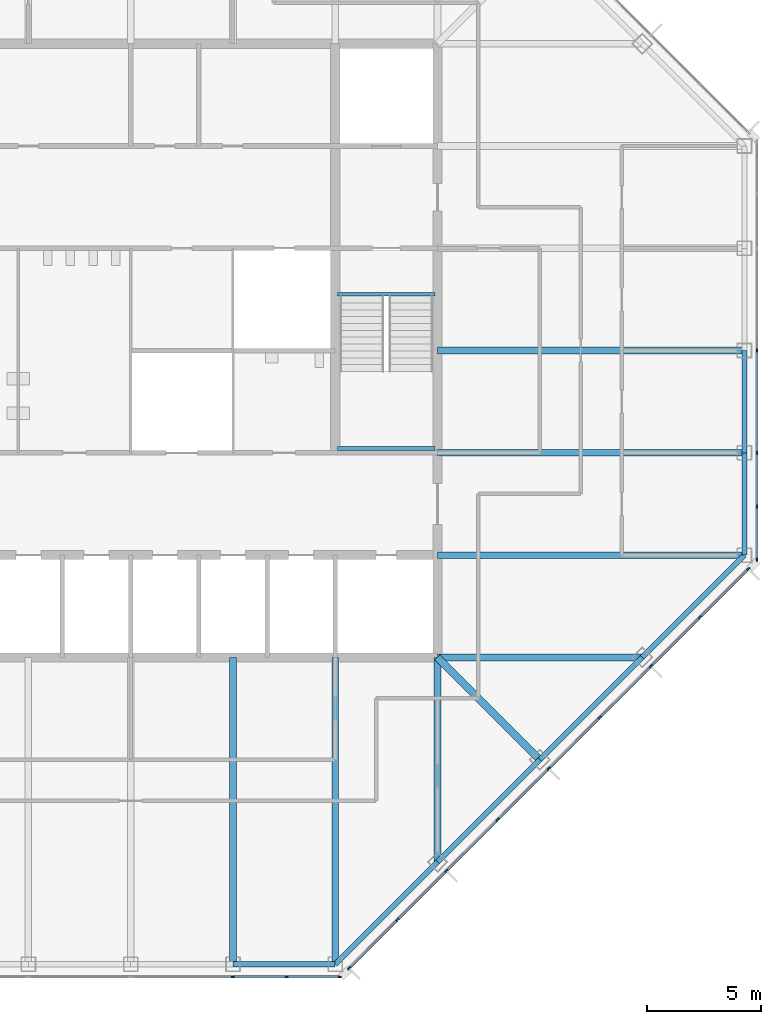
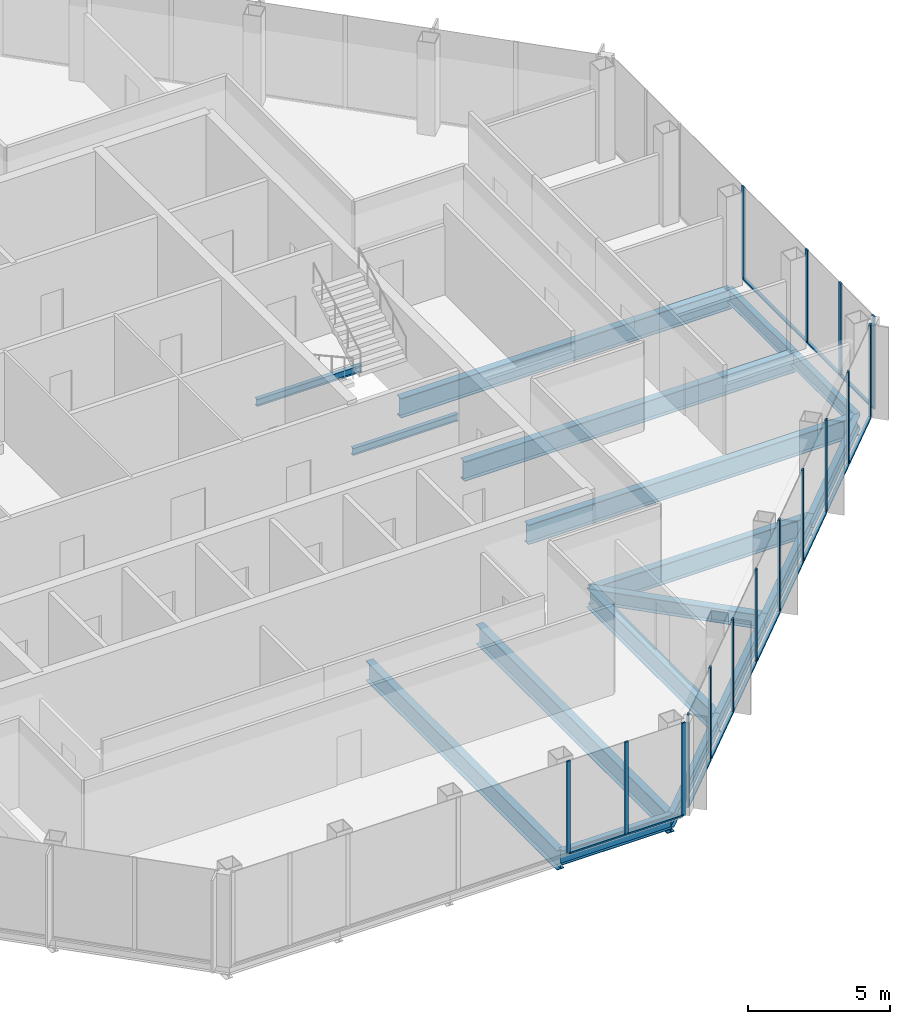
# One storey, part 4 of 14: 29 members, 17 beams, 3 elements without a shape of their own.
"""IFC4 building model written with IfcOpenShell, lengths in metres."""

from ifc_helpers import new_model, si_unit, direction, frame, origin, origin_2d, place, context, subcontext, project, spatial, rectangle, i_section, extrude, material, material_profile, profile_set, type_object, element, aggregate, save


model = new_model("IFC4")

# Units and contexts
model_context = context("Model", 3, precision=1e-05, world=origin(), true_north=direction((0.0, 1.0)))
body_context = subcontext(model_context, "Body", "Model", "MODEL_VIEW")
ifc_project = project(units=[si_unit("LENGTHUNIT", "METRE"), si_unit("AREAUNIT", "SQUARE_METRE"), si_unit("VOLUMEUNIT", "CUBIC_METRE"), si_unit("PLANEANGLEUNIT", "RADIAN"), si_unit("MASSUNIT", "GRAM", prefix="KILO")], contexts=[model_context])

# Site, building, storey
site_placement = place(None, origin())
site = spatial("IfcSite", under=ifc_project, at=site_placement, CompositionType="ELEMENT")
building_placement = place(site_placement, origin())
building = spatial("IfcBuilding", under=site, at=building_placement, Name="Corais Broadcast Tower", CompositionType="ELEMENT")
storey_placement = place(building_placement, frame((0.0, 0.0, 218.60009765625)))
storey = spatial("IfcBuildingStorey", under=building, at=storey_placement, Name="L50", CompositionType="ELEMENT", Elevation=218.60009765625)

# Beams
ifc_material_1 = material(Name="Steel ASTM A572 Grade 50", Category="steel")
ifc_material_profile_1 = material_profile(ifc_material_1, i_section(OverallWidth=0.323974609375, OverallDepth=0.611083984375, WebThickness=0.0126953125, FlangeThickness=0.01904296875, at=origin_2d()), Name="W610x155")
ifc_profile_set_1 = profile_set([ifc_material_profile_1], Name="Steel ASTM A572 Grade 50")
beam_type_1 = type_object("IfcBeamType", Name="Corner diagonal W610x155", PredefinedType="BEAM", material=ifc_profile_set_1)
beam_1_placement = place(storey_placement, frame((45.0, 9.0, -0.465576171875), z_axis=(-0.707106781187, 0.707106781187, 0.0), x_axis=(-0.707106781187, -0.707106781187, 0.0)))
element("IfcBeam", 1, at=beam_1_placement, inside=storey, type_object=beam_type_1, Name="B6 C/13 to D/12", PredefinedType="BEAM", context=body_context, shape_type="SweptSolid", body=[
    extrude(i_section(OverallWidth=0.323974609375, OverallDepth=0.611083984375, WebThickness=0.0126953125, FlangeThickness=0.01904296875, at=origin_2d()), origin(), (0.0, 0.0, 1.0), 6.364013671875),
])
ifc_material_2 = material(Name="Steel ASTM A572 Grade 50", Category="steel")
ifc_material_profile_2 = material_profile(ifc_material_2, i_section(OverallWidth=0.2939453125, OverallDepth=0.85107421875, WebThickness=0.01611328125, FlangeThickness=0.02685546875, at=origin_2d()), Name="W840x226")
ifc_profile_set_2 = profile_set([ifc_material_profile_2], Name="Steel ASTM A572 Grade 50")
beam_type_2 = type_object("IfcBeamType", Name="Floor beam W840x226", PredefinedType="BEAM", material=ifc_profile_set_2)
for number, where, z_axis, x_axis, name in (
    (2, (31.5, 0.0, -0.585693359375), (0.0, 1.0, 0.0), (-1.0, 0.0, 0.0), "B1 A/10 to D/10"),
    (3, (36.0, 0.0, -0.585693359375), (0.0, 1.0, 0.0), (-1.0, 0.0, 0.0), "B1 A/11 to D/11"),
):
    element("IfcBeam", number, at=place(storey_placement, frame(where, z_axis=z_axis, x_axis=x_axis)), inside=storey, type_object=beam_type_2, Name=name, PredefinedType="BEAM", context=body_context, shape_type="SweptSolid", body=[
        extrude(i_section(OverallWidth=0.2939453125, OverallDepth=0.85107421875, WebThickness=0.01611328125, FlangeThickness=0.02685546875, at=origin_2d()), origin(), (0.0, 0.0, 1.0), 13.5),
    ])
for number, where, z_axis, x_axis, name in (
    (4, (40.5, 4.5, -0.585693359375), (0.0, 1.0, 0.0), (-1.0, 0.0, 0.0), "B1 B/12 to D/12"),
    (5, (49.5, 13.5, -0.585693359375), (-1.0, 0.0, 0.0), (0.0, -1.0, 0.0), "B1 D/14 to D/12"),
):
    element("IfcBeam", number, at=place(storey_placement, frame(where, z_axis=z_axis, x_axis=x_axis)), inside=storey, type_object=beam_type_2, Name=name, PredefinedType="BEAM", context=body_context, shape_type="SweptSolid", body=[
        extrude(i_section(OverallWidth=0.2939453125, OverallDepth=0.85107421875, WebThickness=0.01611328125, FlangeThickness=0.02685546875, at=origin_2d()), origin(), (0.0, 0.0, 1.0), 9.0),
    ])
for number, where, z_axis, x_axis, name in (
    (6, (54.0, 18.0, -0.585693359375), (-1.0, 0.0, 0.0), (0.0, -1.0, 0.0), "B1 E/15 to E/12"),
    (7, (54.0, 22.5, -0.585693359375), (-1.0, 0.0, 0.0), (0.0, -1.0, 0.0), "B1 F/15 to F/12"),
    (8, (54.0, 27.0, -0.585693359375), (-1.0, 0.0, 0.0), (0.0, -1.0, 0.0), "B1 G/15 to G/12"),
):
    element("IfcBeam", number, at=place(storey_placement, frame(where, z_axis=z_axis, x_axis=x_axis)), inside=storey, type_object=beam_type_2, Name=name, PredefinedType="BEAM", context=body_context, shape_type="SweptSolid", body=[
        extrude(i_section(OverallWidth=0.2939453125, OverallDepth=0.85107421875, WebThickness=0.01611328125, FlangeThickness=0.02685546875, at=origin_2d()), origin(), (0.0, 0.0, 1.0), 13.5),
    ])
ifc_material_3 = material(Name="Steel ASTM A572 Grade 50", Category="steel")
ifc_material_profile_3 = material_profile(ifc_material_3, i_section(OverallWidth=0.1650390625, OverallDepth=0.31005859375, WebThickness=0.005859375, FlangeThickness=0.009765625, at=origin_2d()), Name="W310x38.7")
ifc_profile_set_3 = profile_set([ifc_material_profile_3], Name="Steel ASTM A572 Grade 50")
beam_type_3 = type_object("IfcBeamType", Name="Landing trimmer W310x38.7", PredefinedType="BEAM", material=ifc_profile_set_3)
for number, where, z_axis, x_axis, name in (
    (9, (36.10009765625, 29.47509765625, -0.35498046875), (1.0, 0.0, 0.0), (0.0, 1.0, 0.0), "LT1 stair B landing trimmer L50"),
    (10, (36.10009765625, 22.68994140625, 1.64501953125), (1.0, 0.0, 0.0), (0.0, 1.0, 0.0), "LT1 stair B half landing trimmer L50"),
):
    element("IfcBeam", number, at=place(storey_placement, frame(where, z_axis=z_axis, x_axis=x_axis)), inside=storey, type_object=beam_type_3, Name=name, PredefinedType="BEAM", context=body_context, shape_type="SweptSolid", body=[
        extrude(i_section(OverallWidth=0.1650390625, OverallDepth=0.31005859375, WebThickness=0.005859375, FlangeThickness=0.009765625, at=origin_2d()), origin(), (0.0, 0.0, 1.0), 4.2998046875),
    ])

# Curtain wall, members
ifc_material_4 = material(Name="Aluminium and glass", Category="aluminium")
curtain_wall_type = type_object("IfcCurtainWallType", Name="Unitised fritted curtain wall CW3", PredefinedType="NOTDEFINED", material=ifc_material_4)
curtain_wall_1_placement = place(storey_placement, origin())
curtain_wall_1 = element("IfcCurtainWall", 11, at=curtain_wall_1_placement, inside=storey, type_object=curtain_wall_type, Name="CW3 curtain wall L50 6", PredefinedType="NOTDEFINED")
ifc_material_5 = material(Name="Aluminium 6063-T6", Category="aluminium")
ifc_material_profile_4 = material_profile(ifc_material_5, rectangle(XDim=0.06494140625, YDim=0.159912109375, at=origin_2d()), Name="Mullion CW3 65x160")
ifc_profile_set_4 = profile_set([ifc_material_profile_4], Name="Aluminium 6063-T6")
member_type_1 = type_object("IfcMemberType", Name="Mullion CW3 65x160", PredefinedType="MULLION", material=ifc_profile_set_4)
member_1_placement = place(storey_placement, frame((54.550048828125, 27.0, 0.0), z_axis=(0.0, 0.0, 1.0), x_axis=(1.0, 0.0, 0.0)))
member_1 = element("IfcMember", 12, at=member_1_placement, type_object=member_type_1, Name="CW3 mullion 4", PredefinedType="MULLION", context=body_context, shape_type="SweptSolid", body=[
    extrude(rectangle(XDim=0.06494140625, YDim=0.159912109375, at=origin_2d()), origin(), (0.0, 0.0, 1.0), 4.0),
])
member_2_placement = place(storey_placement, frame((54.550048828125, 22.5, 0.0), z_axis=(0.0, 0.0, 1.0), x_axis=(1.0, 0.0, 0.0)))
member_2 = element("IfcMember", 13, at=member_2_placement, type_object=member_type_1, Name="CW3 mullion 5", PredefinedType="MULLION", context=body_context, shape_type="SweptSolid", body=[
    extrude(rectangle(XDim=0.06494140625, YDim=0.159912109375, at=origin_2d()), origin(), (0.0, 0.0, 1.0), 4.0),
])
member_3_placement = place(storey_placement, frame((54.550048828125, 20.135986328125, 0.0), z_axis=(0.0, 0.0, 1.0), x_axis=(1.0, 0.0, 0.0)))
member_3 = element("IfcMember", 14, at=member_3_placement, type_object=member_type_1, Name="CW3 mullion 6", PredefinedType="MULLION", context=body_context, shape_type="SweptSolid", body=[
    extrude(rectangle(XDim=0.06494140625, YDim=0.159912109375, at=origin_2d()), origin(), (0.0, 0.0, 1.0), 4.0),
])
member_4_placement = place(storey_placement, frame((54.550048828125, 17.8046875, 0.0), z_axis=(0.0, 0.0, 1.0), x_axis=(1.0, 0.0, 0.0)))
member_4 = element("IfcMember", 15, at=member_4_placement, type_object=member_type_1, Name="CW3 mullion 7", PredefinedType="MULLION", context=body_context, shape_type="SweptSolid", body=[
    extrude(rectangle(XDim=0.06494140625, YDim=0.159912109375, at=origin_2d()), origin(), (0.0, 0.0, 1.0), 4.0),
])

curtain_wall_2_placement = place(storey_placement, origin())
curtain_wall_2 = element("IfcCurtainWall", 16, at=curtain_wall_2_placement, inside=storey, type_object=curtain_wall_type, Name="CW3 curtain wall L50 7", PredefinedType="NOTDEFINED")
member_5_placement = place(storey_placement, frame((54.17333984375, 17.3955078125, 0.0), z_axis=(0.0, 0.0, 1.0), x_axis=(0.707106781187, -0.707106781187, 0.0)))
member_5 = element("IfcMember", 17, at=member_5_placement, type_object=member_type_1, Name="CW3 mullion 1", PredefinedType="MULLION", context=body_context, shape_type="SweptSolid", body=[
    extrude(rectangle(XDim=0.06494140625, YDim=0.159912109375, at=origin_2d()), origin(), (0.0, 0.0, 1.0), 4.0),
])
member_6_placement = place(storey_placement, frame((52.042724609375, 15.264892578125, 0.0), z_axis=(0.0, 0.0, 1.0), x_axis=(0.707106781187, -0.707106781187, 0.0)))
member_6 = element("IfcMember", 18, at=member_6_placement, type_object=member_type_1, Name="CW3 mullion 2", PredefinedType="MULLION", context=body_context, shape_type="SweptSolid", body=[
    extrude(rectangle(XDim=0.06494140625, YDim=0.159912109375, at=origin_2d()), origin(), (0.0, 0.0, 1.0), 4.0),
])
member_7_placement = place(storey_placement, frame((49.888916015625, 13.111083984375, 0.0), z_axis=(0.0, 0.0, 1.0), x_axis=(0.707106781187, -0.707106781187, 0.0)))
member_7 = element("IfcMember", 19, at=member_7_placement, type_object=member_type_1, Name="CW3 mullion 3", PredefinedType="MULLION", context=body_context, shape_type="SweptSolid", body=[
    extrude(rectangle(XDim=0.06494140625, YDim=0.159912109375, at=origin_2d()), origin(), (0.0, 0.0, 1.0), 4.0),
])
member_8_placement = place(storey_placement, frame((47.638916015625, 10.861083984375, 0.0), z_axis=(0.0, 0.0, 1.0), x_axis=(0.707106781187, -0.707106781187, 0.0)))
member_8 = element("IfcMember", 20, at=member_8_placement, type_object=member_type_1, Name="CW3 mullion 4", PredefinedType="MULLION", context=body_context, shape_type="SweptSolid", body=[
    extrude(rectangle(XDim=0.06494140625, YDim=0.159912109375, at=origin_2d()), origin(), (0.0, 0.0, 1.0), 4.0),
])
member_9_placement = place(storey_placement, frame((45.388916015625, 8.611083984375, 0.0), z_axis=(0.0, 0.0, 1.0), x_axis=(0.707106781187, -0.707106781187, 0.0)))
member_9 = element("IfcMember", 21, at=member_9_placement, type_object=member_type_1, Name="CW3 mullion 5", PredefinedType="MULLION", context=body_context, shape_type="SweptSolid", body=[
    extrude(rectangle(XDim=0.06494140625, YDim=0.159912109375, at=origin_2d()), origin(), (0.0, 0.0, 1.0), 4.0),
])
member_10_placement = place(storey_placement, frame((43.138916015625, 6.361083984375, 0.0), z_axis=(0.0, 0.0, 1.0), x_axis=(0.707106781187, -0.707106781187, 0.0)))
member_10 = element("IfcMember", 22, at=member_10_placement, type_object=member_type_1, Name="CW3 mullion 6", PredefinedType="MULLION", context=body_context, shape_type="SweptSolid", body=[
    extrude(rectangle(XDim=0.06494140625, YDim=0.159912109375, at=origin_2d()), origin(), (0.0, 0.0, 1.0), 4.0),
])
member_11_placement = place(storey_placement, frame((40.888916015625, 4.111083984375, 0.0), z_axis=(0.0, 0.0, 1.0), x_axis=(0.707106781187, -0.707106781187, 0.0)))
member_11 = element("IfcMember", 23, at=member_11_placement, type_object=member_type_1, Name="CW3 mullion 7", PredefinedType="MULLION", context=body_context, shape_type="SweptSolid", body=[
    extrude(rectangle(XDim=0.06494140625, YDim=0.159912109375, at=origin_2d()), origin(), (0.0, 0.0, 1.0), 4.0),
])
member_12_placement = place(storey_placement, frame((38.735107421875, 1.957275390625, 0.0), z_axis=(0.0, 0.0, 1.0), x_axis=(0.707106781187, -0.707106781187, 0.0)))
member_12 = element("IfcMember", 24, at=member_12_placement, type_object=member_type_1, Name="CW3 mullion 8", PredefinedType="MULLION", context=body_context, shape_type="SweptSolid", body=[
    extrude(rectangle(XDim=0.06494140625, YDim=0.159912109375, at=origin_2d()), origin(), (0.0, 0.0, 1.0), 4.0),
])
member_13_placement = place(storey_placement, frame((36.6044921875, -0.17333984375, 0.0), z_axis=(0.0, 0.0, 1.0), x_axis=(0.707106781187, -0.707106781187, 0.0)))
member_13 = element("IfcMember", 25, at=member_13_placement, type_object=member_type_1, Name="CW3 mullion 9", PredefinedType="MULLION", context=body_context, shape_type="SweptSolid", body=[
    extrude(rectangle(XDim=0.06494140625, YDim=0.159912109375, at=origin_2d()), origin(), (0.0, 0.0, 1.0), 4.0),
])

curtain_wall_3_placement = place(storey_placement, origin())
curtain_wall_3 = element("IfcCurtainWall", 26, at=curtain_wall_3_placement, inside=storey, type_object=curtain_wall_type, Name="CW3 curtain wall L50 8", PredefinedType="NOTDEFINED")
member_14_placement = place(storey_placement, frame((36.1953125, -0.550048828125, 0.0), z_axis=(0.0, 0.0, 1.0), x_axis=(0.0, -1.0, 0.0)))
member_14 = element("IfcMember", 27, at=member_14_placement, type_object=member_type_1, Name="CW3 mullion 1", PredefinedType="MULLION", context=body_context, shape_type="SweptSolid", body=[
    extrude(rectangle(XDim=0.06494140625, YDim=0.159912109375, at=origin_2d()), origin(), (0.0, 0.0, 1.0), 4.0),
])
member_15_placement = place(storey_placement, frame((33.864013671875, -0.550048828125, 0.0), z_axis=(0.0, 0.0, 1.0), x_axis=(0.0, -1.0, 0.0)))
member_15 = element("IfcMember", 28, at=member_15_placement, type_object=member_type_1, Name="CW3 mullion 2", PredefinedType="MULLION", context=body_context, shape_type="SweptSolid", body=[
    extrude(rectangle(XDim=0.06494140625, YDim=0.159912109375, at=origin_2d()), origin(), (0.0, 0.0, 1.0), 4.0),
])
member_16_placement = place(storey_placement, frame((31.5, -0.550048828125, 0.0), z_axis=(0.0, 0.0, 1.0), x_axis=(0.0, -1.0, 0.0)))
member_16 = element("IfcMember", 29, at=member_16_placement, type_object=member_type_1, Name="CW3 mullion 3", PredefinedType="MULLION", context=body_context, shape_type="SweptSolid", body=[
    extrude(rectangle(XDim=0.06494140625, YDim=0.159912109375, at=origin_2d()), origin(), (0.0, 0.0, 1.0), 4.0),
])

# Beams
ifc_material_6 = material(Name="Steel ASTM A572 Grade 50", Category="steel")
ifc_material_profile_5 = material_profile(ifc_material_6, i_section(OverallWidth=0.22998046875, OverallDepth=0.616943359375, WebThickness=0.01318359375, FlangeThickness=0.022216796875, at=origin_2d()), Name="W610x140")
ifc_profile_set_5 = profile_set([ifc_material_profile_5], Name="Steel ASTM A572 Grade 50")
beam_type_4 = type_object("IfcBeamType", Name="Spandrel W610x140", PredefinedType="BEAM", material=ifc_profile_set_5)
beam_2_placement = place(storey_placement, frame((31.5, 0.0, -0.468505859375), z_axis=(1.0, 0.0, 0.0), x_axis=(0.0, 1.0, 0.0)))
element("IfcBeam", 30, at=beam_2_placement, inside=storey, type_object=beam_type_4, Name="SB3 A/10 to A/11", PredefinedType="BEAM", context=body_context, shape_type="SweptSolid", body=[
    extrude(i_section(OverallWidth=0.22998046875, OverallDepth=0.616943359375, WebThickness=0.01318359375, FlangeThickness=0.022216796875, at=origin_2d()), origin(), (0.0, 0.0, 1.0), 4.5),
])
for number, where, z_axis, x_axis, name in (
    (31, (36.0, 0.0, -0.468505859375), (0.707106781187, 0.707106781187, 0.0), (-0.707106781187, 0.707106781187, 0.0), "SB3 A/11 to B/12"),
    (32, (40.5, 4.5, -0.468505859375), (0.707106781187, 0.707106781187, 0.0), (-0.707106781187, 0.707106781187, 0.0), "SB3 B/12 to C/13"),
    (33, (45.0, 9.0, -0.468505859375), (0.707106781187, 0.707106781187, 0.0), (-0.707106781187, 0.707106781187, 0.0), "SB3 C/13 to D/14"),
    (34, (49.5, 13.5, -0.468505859375), (0.707106781187, 0.707106781187, 0.0), (-0.707106781187, 0.707106781187, 0.0), "SB3 D/14 to E/15"),
):
    element("IfcBeam", number, at=place(storey_placement, frame(where, z_axis=z_axis, x_axis=x_axis)), inside=storey, type_object=beam_type_4, Name=name, PredefinedType="BEAM", context=body_context, shape_type="SweptSolid", body=[
        extrude(i_section(OverallWidth=0.22998046875, OverallDepth=0.616943359375, WebThickness=0.01318359375, FlangeThickness=0.022216796875, at=origin_2d()), origin(), (0.0, 0.0, 1.0), 6.364013671875),
    ])
for number, where, z_axis, x_axis, name in (
    (35, (54.0, 18.0, -0.468505859375), (0.0, 1.0, 0.0), (-1.0, 0.0, 0.0), "SB3 E/15 to F/15"),
    (36, (54.0, 22.5, -0.468505859375), (0.0, 1.0, 0.0), (-1.0, 0.0, 0.0), "SB3 F/15 to G/15"),
):
    element("IfcBeam", number, at=place(storey_placement, frame(where, z_axis=z_axis, x_axis=x_axis)), inside=storey, type_object=beam_type_4, Name=name, PredefinedType="BEAM", context=body_context, shape_type="SweptSolid", body=[
        extrude(i_section(OverallWidth=0.22998046875, OverallDepth=0.616943359375, WebThickness=0.01318359375, FlangeThickness=0.022216796875, at=origin_2d()), origin(), (0.0, 0.0, 1.0), 4.5),
    ])

# Member
ifc_material_7 = material(Name="Aluminium 6063-T6", Category="aluminium")
ifc_material_profile_6 = material_profile(ifc_material_7, rectangle(XDim=0.1201171875, YDim=0.06494140625, at=origin_2d()), Name="Transom CW3 65x120")
ifc_profile_set_6 = profile_set([ifc_material_profile_6], Name="Aluminium 6063-T6")
member_type_2 = type_object("IfcMemberType", Name="Transom CW3 65x120", PredefinedType="USERDEFINED", material=ifc_profile_set_6)
member_17_placement = place(storey_placement, frame((54.550048828125, 26.967529296875, 0.032470703125), z_axis=(0.0, -1.0, 0.0), x_axis=(1.0, 0.0, 0.0)))
member_17 = element("IfcMember", 37, at=member_17_placement, type_object=member_type_2, Name="CW3 transom 4.1", ObjectType="TRANSOM", PredefinedType="USERDEFINED", context=body_context, shape_type="SweptSolid", body=[
    extrude(rectangle(XDim=0.1201171875, YDim=0.06494140625, at=origin_2d()), origin(), (0.0, 0.0, 1.0), 4.43505859375),
])

member_18_placement = place(storey_placement, frame((54.550048828125, 22.467529296875, 0.032470703125), z_axis=(0.0, -1.0, 0.0), x_axis=(1.0, 0.0, 0.0)))
member_18 = element("IfcMember", 38, at=member_18_placement, type_object=member_type_2, Name="CW3 transom 5.1", ObjectType="TRANSOM", PredefinedType="USERDEFINED", context=body_context, shape_type="SweptSolid", body=[
    extrude(rectangle(XDim=0.1201171875, YDim=0.06494140625, at=origin_2d()), origin(), (0.0, 0.0, 1.0), 2.298828125),
])

member_19_placement = place(storey_placement, frame((54.550048828125, 20.103515625, 0.032470703125), z_axis=(0.0, -1.0, 0.0), x_axis=(1.0, 0.0, 0.0)))
member_19 = element("IfcMember", 39, at=member_19_placement, type_object=member_type_2, Name="CW3 transom 6.1", ObjectType="TRANSOM", PredefinedType="USERDEFINED", context=body_context, shape_type="SweptSolid", body=[
    extrude(rectangle(XDim=0.1201171875, YDim=0.06494140625, at=origin_2d()), origin(), (0.0, 0.0, 1.0), 2.266357421875),
])

aggregate(curtain_wall_1, [member_1, member_2, member_3, member_4, member_17, member_18, member_19])

member_20_placement = place(storey_placement, frame((54.150390625, 17.37255859375, 0.032470703125), z_axis=(-0.707106781187, -0.707106781187, 0.0), x_axis=(0.707106781187, -0.707106781187, 0.0)))
member_20 = element("IfcMember", 40, at=member_20_placement, type_object=member_type_2, Name="CW3 transom 1.1", ObjectType="TRANSOM", PredefinedType="USERDEFINED", context=body_context, shape_type="SweptSolid", body=[
    extrude(rectangle(XDim=0.1201171875, YDim=0.06494140625, at=origin_2d()), origin(), (0.0, 0.0, 1.0), 2.9482421875),
])

member_21_placement = place(storey_placement, frame((52.019775390625, 15.241943359375, 0.032470703125), z_axis=(-0.707106781187, -0.707106781187, 0.0), x_axis=(0.707106781187, -0.707106781187, 0.0)))
member_21 = element("IfcMember", 41, at=member_21_placement, type_object=member_type_2, Name="CW3 transom 2.1", ObjectType="TRANSOM", PredefinedType="USERDEFINED", context=body_context, shape_type="SweptSolid", body=[
    extrude(rectangle(XDim=0.1201171875, YDim=0.06494140625, at=origin_2d()), origin(), (0.0, 0.0, 1.0), 2.98095703125),
])

member_22_placement = place(storey_placement, frame((49.865966796875, 13.088134765625, 0.032470703125), z_axis=(-0.707106781187, -0.707106781187, 0.0), x_axis=(0.707106781187, -0.707106781187, 0.0)))
member_22 = element("IfcMember", 42, at=member_22_placement, type_object=member_type_2, Name="CW3 transom 3.1", ObjectType="TRANSOM", PredefinedType="USERDEFINED", context=body_context, shape_type="SweptSolid", body=[
    extrude(rectangle(XDim=0.1201171875, YDim=0.06494140625, at=origin_2d()), origin(), (0.0, 0.0, 1.0), 3.1171875),
])

member_23_placement = place(storey_placement, frame((47.615966796875, 10.838134765625, 0.032470703125), z_axis=(-0.707106781187, -0.707106781187, 0.0), x_axis=(0.707106781187, -0.707106781187, 0.0)))
member_23 = element("IfcMember", 43, at=member_23_placement, type_object=member_type_2, Name="CW3 transom 4.1", ObjectType="TRANSOM", PredefinedType="USERDEFINED", context=body_context, shape_type="SweptSolid", body=[
    extrude(rectangle(XDim=0.1201171875, YDim=0.06494140625, at=origin_2d()), origin(), (0.0, 0.0, 1.0), 3.1171875),
])

member_24_placement = place(storey_placement, frame((45.365966796875, 8.588134765625, 0.032470703125), z_axis=(-0.707106781187, -0.707106781187, 0.0), x_axis=(0.707106781187, -0.707106781187, 0.0)))
member_24 = element("IfcMember", 44, at=member_24_placement, type_object=member_type_2, Name="CW3 transom 5.1", ObjectType="TRANSOM", PredefinedType="USERDEFINED", context=body_context, shape_type="SweptSolid", body=[
    extrude(rectangle(XDim=0.1201171875, YDim=0.06494140625, at=origin_2d()), origin(), (0.0, 0.0, 1.0), 3.1171875),
])

member_25_placement = place(storey_placement, frame((43.115966796875, 6.338134765625, 0.032470703125), z_axis=(-0.707106781187, -0.707106781187, 0.0), x_axis=(0.707106781187, -0.707106781187, 0.0)))
member_25 = element("IfcMember", 45, at=member_25_placement, type_object=member_type_2, Name="CW3 transom 6.1", ObjectType="TRANSOM", PredefinedType="USERDEFINED", context=body_context, shape_type="SweptSolid", body=[
    extrude(rectangle(XDim=0.1201171875, YDim=0.06494140625, at=origin_2d()), origin(), (0.0, 0.0, 1.0), 3.1171875),
])

member_26_placement = place(storey_placement, frame((40.865966796875, 4.088134765625, 0.032470703125), z_axis=(-0.70714773134, -0.707065828661, 0.0), x_axis=(0.707065828661, -0.70714773134, 0.0)))
member_26 = element("IfcMember", 46, at=member_26_placement, type_object=member_type_2, Name="CW3 transom 7.1", ObjectType="TRANSOM", PredefinedType="USERDEFINED", context=body_context, shape_type="SweptSolid", body=[
    extrude(rectangle(XDim=0.1201171875, YDim=0.06494140625, at=origin_2d()), origin(), (0.0, 0.0, 1.0), 2.98095703125),
])

member_27_placement = place(storey_placement, frame((38.712158203125, 1.934326171875, 0.032470703125), z_axis=(-0.707106781187, -0.707106781187, 0.0), x_axis=(0.707106781187, -0.707106781187, 0.0)))
member_27 = element("IfcMember", 47, at=member_27_placement, type_object=member_type_2, Name="CW3 transom 8.1", ObjectType="TRANSOM", PredefinedType="USERDEFINED", context=body_context, shape_type="SweptSolid", body=[
    extrude(rectangle(XDim=0.1201171875, YDim=0.06494140625, at=origin_2d()), origin(), (0.0, 0.0, 1.0), 2.9482421875),
])

aggregate(curtain_wall_2, [member_5, member_6, member_7, member_8, member_9, member_10, member_11, member_12, member_13, member_20, member_21, member_22, member_23, member_24, member_25, member_26, member_27])

member_28_placement = place(storey_placement, frame((36.162841796875, -0.550048828125, 0.032470703125), z_axis=(-1.0, 0.0, 0.0), x_axis=(0.0, -1.0, 0.0)))
member_28 = element("IfcMember", 48, at=member_28_placement, type_object=member_type_2, Name="CW3 transom 1.1", ObjectType="TRANSOM", PredefinedType="USERDEFINED", context=body_context, shape_type="SweptSolid", body=[
    extrude(rectangle(XDim=0.1201171875, YDim=0.06494140625, at=origin_2d()), origin(), (0.0, 0.0, 1.0), 2.266357421875),
])

member_29_placement = place(storey_placement, frame((33.831298828125, -0.550048828125, 0.032470703125), z_axis=(-1.0, 0.0, 0.0), x_axis=(0.0, -1.0, 0.0)))
member_29 = element("IfcMember", 49, at=member_29_placement, type_object=member_type_2, Name="CW3 transom 2.1", ObjectType="TRANSOM", PredefinedType="USERDEFINED", context=body_context, shape_type="SweptSolid", body=[
    extrude(rectangle(XDim=0.1201171875, YDim=0.06494140625, at=origin_2d()), origin(), (0.0, 0.0, 1.0), 2.298828125),
])

aggregate(curtain_wall_3, [member_14, member_15, member_16, member_28, member_29])

save(model, "model.ifc")
